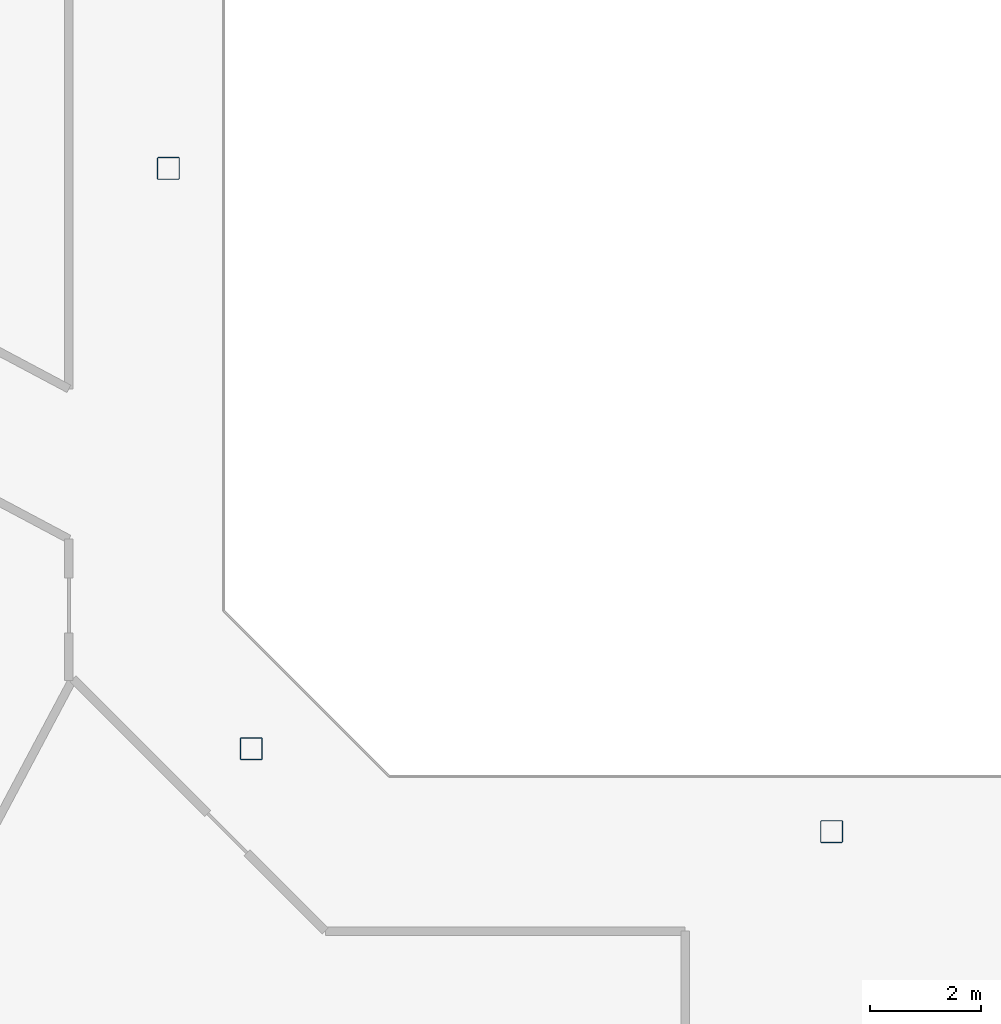
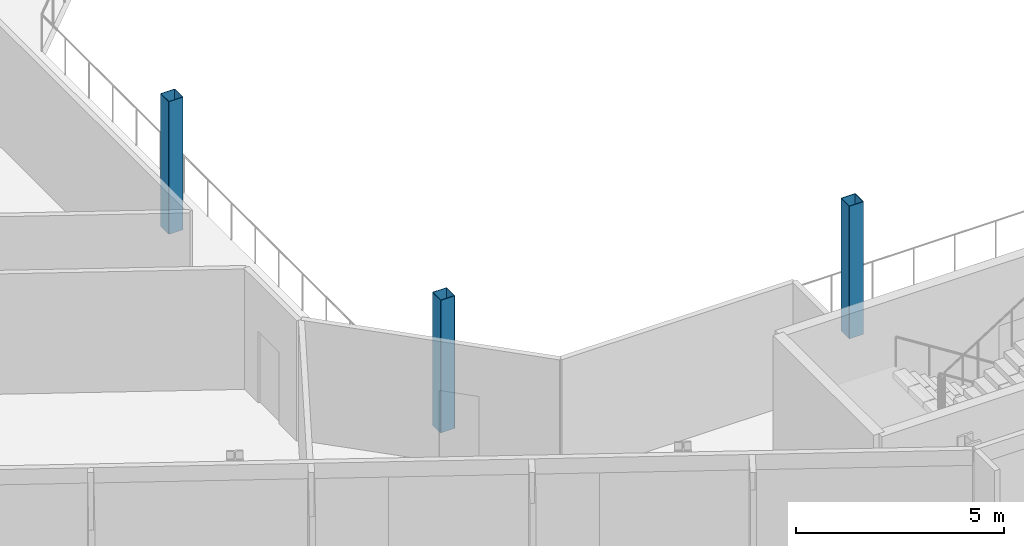
# One storey, part 2 of 26: 3 columns.
"""IFC4 building model written with IfcOpenShell, lengths in metres."""

from ifc_helpers import new_model, si_unit, direction, frame, origin, origin_2d, place, context, subcontext, project, spatial, hollow_rectangle, extrude, material, material_profile, profile_set, type_object, element, save


model = new_model("IFC4")

# Units and contexts
model_context = context("Model", 3, precision=1e-05, world=origin(), true_north=direction((0.0, 1.0)))
body_context = subcontext(model_context, "Body", "Model", "MODEL_VIEW")
ifc_project = project(units=[si_unit("LENGTHUNIT", "METRE"), si_unit("AREAUNIT", "SQUARE_METRE"), si_unit("VOLUMEUNIT", "CUBIC_METRE"), si_unit("PLANEANGLEUNIT", "RADIAN"), si_unit("MASSUNIT", "GRAM", prefix="KILO")], contexts=[model_context])

# Site, building, storey
site_placement = place(None, origin())
site = spatial("IfcSite", under=ifc_project, at=site_placement, CompositionType="ELEMENT")
building_placement = place(site_placement, origin())
building = spatial("IfcBuilding", under=site, at=building_placement, Name="Cormorant Relay Tower", CompositionType="ELEMENT")
storey_placement = place(building_placement, frame((0.0, 0.0, 193.5)))
storey = spatial("IfcBuildingStorey", under=building, at=storey_placement, Name="L41", CompositionType="ELEMENT", Elevation=193.5)

# Columns
ifc_material = material(Name="Steel ASTM A500 Grade C (Fy 345 MPa)", Category="steel")
ifc_material_profile = material_profile(ifc_material, hollow_rectangle(XDim=0.406494140625, YDim=0.406494140625, WallThickness=0.0146484375, InnerFilletRadius=0.00732421875, OuterFilletRadius=0.022216796875, at=origin_2d()), Name="HSS406x406x15")
ifc_profile_set = profile_set([ifc_material_profile], Name="Steel ASTM A500 Grade C (Fy 345 MPa)")
column_type = type_object("IfcColumnType", Name="Column HSS406x406x15", PredefinedType="COLUMN", material=ifc_profile_set)
for number, where, z_axis, x_axis, name in (
    (1, (0.0, -12.0, 0.0), (0.0, 0.0, 1.0), (1.0, 0.0, 0.0), "Column L41-007"),
    (2, (-10.5, -10.5, 0.0), (0.0, 0.0, 1.0), (1.0, 0.0, 0.0), "Column L41-009"),
    (3, (-12.0, 0.0, 0.0), (0.0, 0.0, 1.0), (1.0, 0.0, 0.0), "Column L41-015"),
):
    element("IfcColumn", number, at=place(storey_placement, frame(where, z_axis=z_axis, x_axis=x_axis)), inside=storey, type_object=column_type, Name=name, PredefinedType="COLUMN", context=body_context, shape_type="SweptSolid", body=[
        extrude(hollow_rectangle(XDim=0.406494140625, YDim=0.406494140625, WallThickness=0.0146484375, InnerFilletRadius=0.00732421875, OuterFilletRadius=0.022216796875, at=origin_2d()), origin(), (0.0, 0.0, 1.0), 3.89990234375),
    ])

save(model, "model.ifc")
